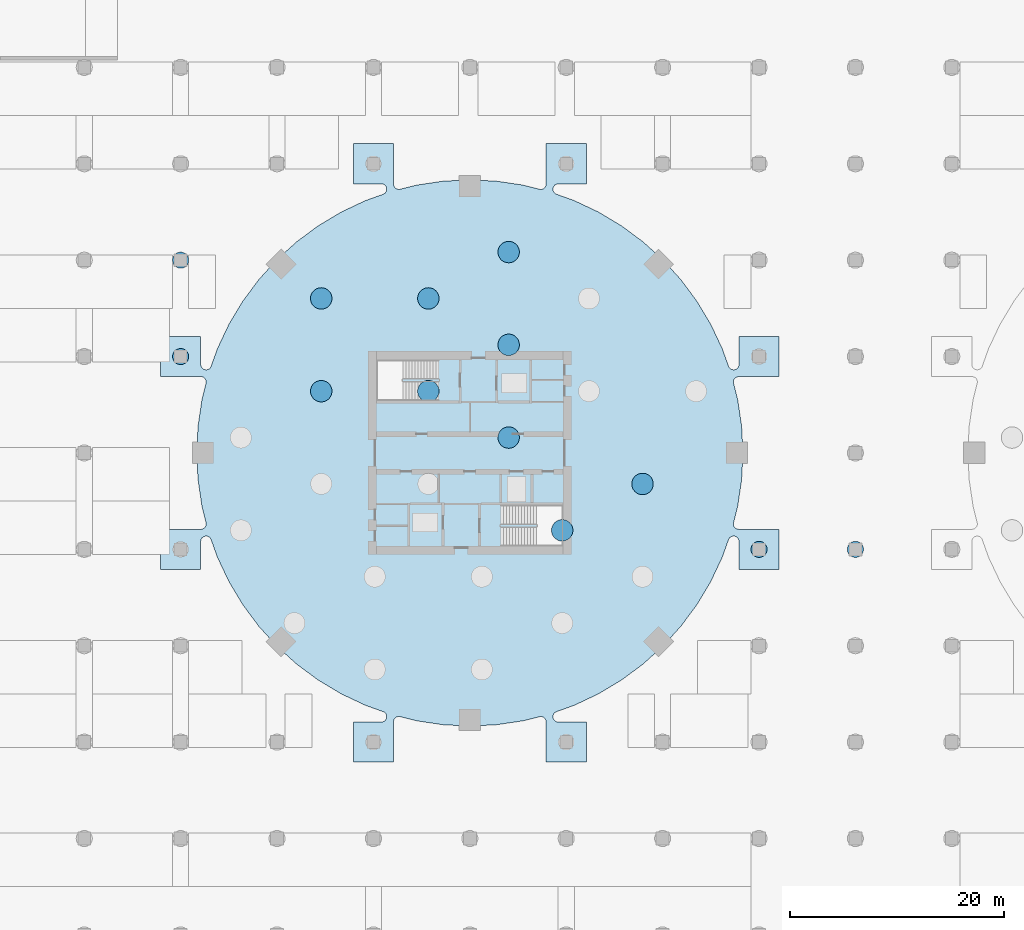
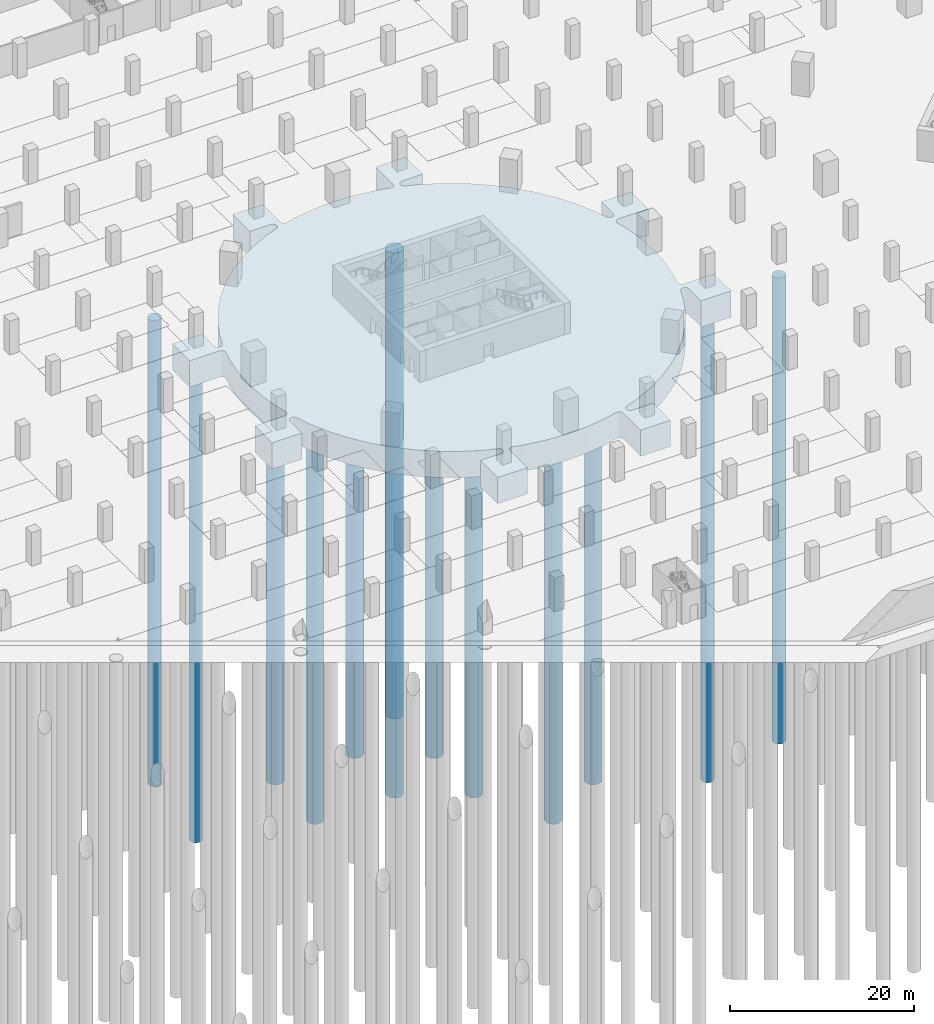
# One storey, part 2 of 39: 13 piles, 1 footing.
"""IFC4 building model written with IfcOpenShell, lengths in metres."""

from ifc_helpers import new_model, si_unit, direction, frame, origin, origin_2d, place, context, subcontext, project, spatial, polyline, circle, outline, extrude, material, layer, layer_set, material_profile, profile_set, type_object, element, save


model = new_model("IFC4")

# Units and contexts
model_context = context("Model", 3, precision=1e-05, world=origin(), true_north=direction((0.0, 1.0)))
body_context = subcontext(model_context, "Body", "Model", "MODEL_VIEW")
ifc_project = project(units=[si_unit("LENGTHUNIT", "METRE"), si_unit("AREAUNIT", "SQUARE_METRE"), si_unit("VOLUMEUNIT", "CUBIC_METRE"), si_unit("PLANEANGLEUNIT", "RADIAN"), si_unit("MASSUNIT", "GRAM", prefix="KILO")], contexts=[model_context])

# Site, building, storey
site_placement = place(None, origin())
site = spatial("IfcSite", under=ifc_project, at=site_placement, CompositionType="ELEMENT")
building_placement = place(site_placement, origin())
building = spatial("IfcBuilding", under=site, at=building_placement, Name="Ogive Gate Towers", CompositionType="ELEMENT")
storey_placement = place(building_placement, frame((0.0, 0.0, -9.0)))
storey = spatial("IfcBuildingStorey", under=building, at=storey_placement, Name="B2", CompositionType="ELEMENT", Elevation=-9.0)

# Piles
ifc_material = material(Name="Concrete C40/50", Category="concrete")
ifc_material_profile_1 = material_profile(ifc_material, circle(Radius=0.75, at=origin_2d()), Name="BP 1500")
ifc_profile_set_1 = profile_set([ifc_material_profile_1], Name="Concrete C40/50")
pile_type_1 = type_object("IfcPileType", Name="Bored pile 1500", PredefinedType="BORED", material=ifc_profile_set_1)
for number, where, z_axis, x_axis, name in (
    (1, (-63.0, 9.0, -3.800048828125), (0.0, 0.0, -1.0), (1.0, 0.0, 0.0), "BS/B2/SPL002"),
    (2, (-9.0, -9.0, -3.800048828125), (0.0, 0.0, -1.0), (1.0, 0.0, 0.0), "BS/B2/SPL007"),
    (3, (-63.0, 18.0, -1.800048828125), (0.0, 0.0, -1.0), (1.0, 0.0, 0.0), "BS/B2/SPL159"),
    (4, (0.0, -9.0, -1.800048828125), (0.0, 0.0, -1.0), (1.0, 0.0, 0.0), "BS/B2/SPL227"),
):
    element("IfcPile", number, at=place(storey_placement, frame(where, z_axis=z_axis, x_axis=x_axis)), inside=storey, type_object=pile_type_1, Name=name, PredefinedType="BORED", context=body_context, shape_type="SweptSolid", body=[
        extrude(circle(Radius=0.75, at=origin_2d()), origin(), (0.0, 0.0, 1.0), 62.0),
    ])
ifc_material_profile_2 = material_profile(ifc_material, circle(Radius=1.0, at=origin_2d()), Name="BP 2000")
ifc_profile_set_2 = profile_set([ifc_material_profile_2], Name="Concrete C40/50")
pile_type_2 = type_object("IfcPileType", Name="Bored pile 2000", PredefinedType="BORED", material=ifc_profile_set_2)
for number, where, z_axis, x_axis, name in (
    (5, (-27.375, -7.22412109375, -3.800048828125), (0.0, 0.0, -1.0), (1.0, 0.0, 0.0), "BS/B2/SPL017"),
    (6, (-19.875, -2.89404296875, -3.800048828125), (0.0, 0.0, -1.0), (1.0, 0.0, 0.0), "BS/B2/SPL020"),
    (7, (-32.375, 1.43603515625, -3.800048828125), (0.0, 0.0, -1.0), (1.0, 0.0, 0.0), "BS/B2/SPL022"),
    (8, (-49.875, 5.76611328125, -3.800048828125), (0.0, 0.0, -1.0), (1.0, 0.0, 0.0), "BS/B2/SPL023"),
    (9, (-39.875, 5.76611328125, -3.800048828125), (0.0, 0.0, -1.0), (1.0, 0.0, 0.0), "BS/B2/SPL024"),
    (10, (-32.375, 10.095947265625, -3.800048828125), (0.0, 0.0, -1.0), (1.0, 0.0, 0.0), "BS/B2/SPL027"),
    (11, (-49.875, 14.426025390625, -3.800048828125), (0.0, 0.0, -1.0), (1.0, 0.0, 0.0), "BS/B2/SPL028"),
    (12, (-39.875, 14.426025390625, -3.800048828125), (0.0, 0.0, -1.0), (1.0, 0.0, 0.0), "BS/B2/SPL029"),
    (13, (-32.375, 18.756103515625, -3.800048828125), (0.0, 0.0, -1.0), (1.0, 0.0, 0.0), "BS/B2/SPL031"),
):
    element("IfcPile", number, at=place(storey_placement, frame(where, z_axis=z_axis, x_axis=x_axis)), inside=storey, type_object=pile_type_2, Name=name, PredefinedType="BORED", context=body_context, shape_type="SweptSolid", body=[
        extrude(circle(Radius=1.0, at=origin_2d()), origin(), (0.0, 0.0, 1.0), 62.0),
    ])

# Footing
ifc_layer = layer(ifc_material, 3.5)
ifc_layer_set = layer_set([ifc_layer], Name="Piled raft 3500")
footing_type = type_object("IfcFootingType", Name="Piled raft 3500", PredefinedType="PILE_CAP", material=ifc_layer_set)
footing_placement = place(storey_placement, frame((0.0, 0.0, -3.89990234375)))
element("IfcFooting", 14, at=footing_placement, inside=storey, type_object=footing_type, Name="BS/B2/SFT001", PredefinedType="PILE_CAP", context=body_context, shape_type="SweptSolid", body=[
    extrude(outline(polyline([(-64.87451171875, -10.87451171875), (-64.86279296875, -10.875), (-61.13720703125, -10.875), (-61.12548828125, -10.87451171875), (-61.125, -10.86279296875), (-61.125, -8.26318359375), (-61.12255859375, -8.213134765625), (-61.114990234375, -8.163818359375), (-61.102783203125, -8.115478515625), (-61.085693359375, -8.068603515625), (-61.06396484375, -8.023681640625), (-61.037841796875, -7.98095703125), (-61.007568359375, -7.941162109375), (-60.9736328125, -7.904541015625), (-60.93603515625, -7.87158203125), (-60.8955078125, -7.842529296875), (-60.85205078125, -7.817626953125), (-60.806640625, -7.79736328125), (-60.75927734375, -7.781494140625), (-60.71044921875, -7.7705078125), (-60.660888671875, -7.764404296875), (-60.611083984375, -7.763427734375), (-60.561279296875, -7.76708984375), (-60.511962890625, -7.776123046875), (-60.464111328125, -7.789794921875), (-60.41748046875, -7.80810546875), (-60.373291015625, -7.8310546875), (-60.331298828125, -7.8583984375), (-60.29248046875, -7.8896484375), (-60.2568359375, -7.9248046875), (-60.224853515625, -7.963134765625), (-60.197021484375, -8.004638671875), (-60.17333984375, -8.048583984375), (-60.154296875, -8.0947265625), (-59.56298828125, -9.746826171875), (-59.5537109375, -9.76953125), (-58.494140625, -12.009521484375), (-58.482666015625, -12.03125), (-57.208740234375, -14.156494140625), (-57.195068359375, -14.177001953125), (-55.718994140625, -16.167236328125), (-55.70361328125, -16.18603515625), (-54.03955078125, -18.022216796875), (-54.022216796875, -18.03955078125), (-52.18603515625, -19.70361328125), (-52.167236328125, -19.718994140625), (-50.177001953125, -21.195068359375), (-50.156494140625, -21.208740234375), (-48.03125, -22.482666015625), (-48.009521484375, -22.494140625), (-45.76953125, -23.5537109375), (-45.746826171875, -23.56298828125), (-44.0947265625, -24.154296875), (-44.048583984375, -24.17333984375), (-44.004638671875, -24.197021484375), (-43.963134765625, -24.224853515625), (-43.9248046875, -24.2568359375), (-43.8896484375, -24.29248046875), (-43.8583984375, -24.331298828125), (-43.8310546875, -24.373291015625), (-43.80810546875, -24.41748046875), (-43.789794921875, -24.464111328125), (-43.776123046875, -24.511962890625), (-43.76708984375, -24.561279296875), (-43.763427734375, -24.611083984375), (-43.764404296875, -24.660888671875), (-43.7705078125, -24.71044921875), (-43.781494140625, -24.75927734375), (-43.79736328125, -24.806640625), (-43.817626953125, -24.85205078125), (-43.842529296875, -24.8955078125), (-43.87158203125, -24.93603515625), (-43.904541015625, -24.9736328125), (-43.941162109375, -25.007568359375), (-43.98095703125, -25.037841796875), (-44.023681640625, -25.06396484375), (-44.068603515625, -25.085693359375), (-44.115478515625, -25.102783203125), (-44.163818359375, -25.114990234375), (-44.213134765625, -25.12255859375), (-44.26318359375, -25.125), (-46.86279296875, -25.125), (-46.87451171875, -25.12548828125), (-46.875, -25.13720703125), (-46.875, -28.86279296875), (-46.87451171875, -28.87451171875), (-46.86279296875, -28.875), (-43.13720703125, -28.875), (-43.12548828125, -28.87451171875), (-43.125, -28.86279296875), (-43.125, -25.13720703125), (-43.125, -25.136474609375), (-43.125, -25.08740234375), (-43.1201171875, -25.03857421875), (-43.110595703125, -24.990478515625), (-43.096435546875, -24.943603515625), (-43.07763671875, -24.898193359375), (-43.054443359375, -24.85498046875), (-43.02734375, -24.814208984375), (-42.99609375, -24.776123046875), (-42.96142578125, -24.741455078125), (-42.923583984375, -24.71044921875), (-42.8828125, -24.68310546875), (-42.83935546875, -24.659912109375), (-42.794189453125, -24.64111328125), (-42.7470703125, -24.626953125), (-42.698974609375, -24.617431640625), (-42.650146484375, -24.612548828125), (-42.60107421875, -24.612548828125), (-42.55224609375, -24.617431640625), (-42.504150390625, -24.626953125), (-40.98681640625, -25.007080078125), (-40.962646484375, -25.01171875), (-38.511474609375, -25.37548828125), (-38.487060546875, -25.3779296875), (-36.01220703125, -25.49951171875), (-35.98779296875, -25.49951171875), (-33.512939453125, -25.3779296875), (-33.488525390625, -25.37548828125), (-31.037353515625, -25.01171875), (-31.01318359375, -25.007080078125), (-29.495849609375, -24.626953125), (-29.44775390625, -24.617431640625), (-29.39892578125, -24.612548828125), (-29.349853515625, -24.612548828125), (-29.301025390625, -24.617431640625), (-29.2529296875, -24.626953125), (-29.205810546875, -24.64111328125), (-29.16064453125, -24.659912109375), (-29.1171875, -24.68310546875), (-29.076416015625, -24.71044921875), (-29.03857421875, -24.741455078125), (-29.00390625, -24.776123046875), (-28.97265625, -24.814208984375), (-28.945556640625, -24.85498046875), (-28.92236328125, -24.898193359375), (-28.903564453125, -24.943603515625), (-28.889404296875, -24.990478515625), (-28.8798828125, -25.03857421875), (-28.875, -25.08740234375), (-28.875, -25.136474609375), (-28.875, -25.13720703125), (-28.875, -28.86279296875), (-28.87451171875, -28.87451171875), (-28.86279296875, -28.875), (-25.13720703125, -28.875), (-25.12548828125, -28.87451171875), (-25.125, -28.86279296875), (-25.125, -25.13720703125), (-25.12548828125, -25.12548828125), (-25.13720703125, -25.125), (-27.73681640625, -25.125), (-27.786865234375, -25.12255859375), (-27.836181640625, -25.114990234375), (-27.884521484375, -25.102783203125), (-27.931396484375, -25.085693359375), (-27.976318359375, -25.06396484375), (-28.01904296875, -25.037841796875), (-28.058837890625, -25.007568359375), (-28.095458984375, -24.9736328125), (-28.12841796875, -24.93603515625), (-28.157470703125, -24.8955078125), (-28.182373046875, -24.85205078125), (-28.20263671875, -24.806640625), (-28.218505859375, -24.75927734375), (-28.2294921875, -24.71044921875), (-28.235595703125, -24.660888671875), (-28.236572265625, -24.611083984375), (-28.23291015625, -24.561279296875), (-28.223876953125, -24.511962890625), (-28.210205078125, -24.464111328125), (-28.19189453125, -24.41748046875), (-28.1689453125, -24.373291015625), (-28.1416015625, -24.331298828125), (-28.1103515625, -24.29248046875), (-28.0751953125, -24.2568359375), (-28.036865234375, -24.224853515625), (-27.995361328125, -24.197021484375), (-27.951416015625, -24.17333984375), (-27.9052734375, -24.154296875), (-26.253173828125, -23.56298828125), (-26.23046875, -23.5537109375), (-23.990478515625, -22.494140625), (-23.96875, -22.482666015625), (-21.843505859375, -21.208740234375), (-21.822998046875, -21.195068359375), (-19.832763671875, -19.718994140625), (-19.81396484375, -19.70361328125), (-17.977783203125, -18.03955078125), (-17.96044921875, -18.022216796875), (-16.29638671875, -16.18603515625), (-16.281005859375, -16.167236328125), (-14.804931640625, -14.177001953125), (-14.791259765625, -14.156494140625), (-13.517333984375, -12.03125), (-13.505859375, -12.009521484375), (-12.4462890625, -9.76953125), (-12.43701171875, -9.746826171875), (-11.845703125, -8.0947265625), (-11.82666015625, -8.048583984375), (-11.802978515625, -8.004638671875), (-11.775146484375, -7.963134765625), (-11.7431640625, -7.9248046875), (-11.70751953125, -7.8896484375), (-11.668701171875, -7.8583984375), (-11.626708984375, -7.8310546875), (-11.58251953125, -7.80810546875), (-11.535888671875, -7.789794921875), (-11.488037109375, -7.776123046875), (-11.438720703125, -7.76708984375), (-11.388916015625, -7.763427734375), (-11.339111328125, -7.764404296875), (-11.28955078125, -7.7705078125), (-11.24072265625, -7.781494140625), (-11.193359375, -7.79736328125), (-11.14794921875, -7.817626953125), (-11.1044921875, -7.842529296875), (-11.06396484375, -7.87158203125), (-11.0263671875, -7.904541015625), (-10.992431640625, -7.941162109375), (-10.962158203125, -7.98095703125), (-10.93603515625, -8.023681640625), (-10.914306640625, -8.068603515625), (-10.897216796875, -8.115478515625), (-10.885009765625, -8.163818359375), (-10.87744140625, -8.213134765625), (-10.875, -8.26318359375), (-10.875, -10.86279296875), (-10.87451171875, -10.87451171875), (-10.86279296875, -10.875), (-7.13720703125, -10.875), (-7.12548828125, -10.87451171875), (-7.125, -10.86279296875), (-7.125, -7.13720703125), (-7.12548828125, -7.12548828125), (-7.13720703125, -7.125), (-10.86279296875, -7.125), (-10.863525390625, -7.125), (-10.91259765625, -7.125), (-10.96142578125, -7.1201171875), (-11.009521484375, -7.110595703125), (-11.056396484375, -7.096435546875), (-11.101806640625, -7.07763671875), (-11.14501953125, -7.054443359375), (-11.185791015625, -7.02734375), (-11.223876953125, -6.99609375), (-11.258544921875, -6.96142578125), (-11.28955078125, -6.923583984375), (-11.31689453125, -6.8828125), (-11.340087890625, -6.83935546875), (-11.35888671875, -6.794189453125), (-11.373046875, -6.7470703125), (-11.382568359375, -6.698974609375), (-11.387451171875, -6.650146484375), (-11.387451171875, -6.60107421875), (-11.382568359375, -6.55224609375), (-11.373046875, -6.504150390625), (-10.992919921875, -4.98681640625), (-10.98828125, -4.962646484375), (-10.62451171875, -2.511474609375), (-10.6220703125, -2.487060546875), (-10.50048828125, -0.01220703125), (-10.50048828125, 0.01220703125), (-10.6220703125, 2.487060546875), (-10.62451171875, 2.511474609375), (-10.98828125, 4.962646484375), (-10.992919921875, 4.98681640625), (-11.373046875, 6.504150390625), (-11.382568359375, 6.55224609375), (-11.387451171875, 6.60107421875), (-11.387451171875, 6.650146484375), (-11.382568359375, 6.698974609375), (-11.373046875, 6.7470703125), (-11.35888671875, 6.794189453125), (-11.340087890625, 6.83935546875), (-11.31689453125, 6.8828125), (-11.28955078125, 6.923583984375), (-11.258544921875, 6.96142578125), (-11.223876953125, 6.99609375), (-11.185791015625, 7.02734375), (-11.14501953125, 7.054443359375), (-11.101806640625, 7.07763671875), (-11.056396484375, 7.096435546875), (-11.009521484375, 7.110595703125), (-10.96142578125, 7.1201171875), (-10.91259765625, 7.125), (-10.863525390625, 7.125), (-10.86279296875, 7.125), (-7.13720703125, 7.125), (-7.12548828125, 7.12548828125), (-7.125, 7.13720703125), (-7.125, 10.86279296875), (-7.12548828125, 10.87451171875), (-7.13720703125, 10.875), (-10.86279296875, 10.875), (-10.87451171875, 10.87451171875), (-10.875, 10.86279296875), (-10.875, 8.26318359375), (-10.87744140625, 8.21484375), (-10.88427734375, 8.167236328125), (-10.895751953125, 8.120361328125), (-10.911865234375, 8.074951171875), (-10.93212890625, 8.03125), (-10.95654296875, 7.989501953125), (-10.98486328125, 7.950439453125), (-11.0166015625, 7.914306640625), (-11.052001953125, 7.881591796875), (-11.09033203125, 7.85205078125), (-11.131103515625, 7.82666015625), (-11.17431640625, 7.80517578125), (-11.219482421875, 7.787841796875), (-11.265869140625, 7.775146484375), (-11.3134765625, 7.766845703125), (-11.361572265625, 7.76318359375), (-11.40966796875, 7.764404296875), (-11.45751953125, 7.77001953125), (-11.504638671875, 7.7802734375), (-11.550537109375, 7.794921875), (-11.594970703125, 7.81396484375), (-11.63720703125, 7.83740234375), (-11.677001953125, 7.864501953125), (-11.7138671875, 7.8955078125), (-11.747802734375, 7.929931640625), (-11.778076171875, 7.96728515625), (-11.8046875, 8.007568359375), (-11.827392578125, 8.050048828125), (-11.845703125, 8.0947265625), (-12.43701171875, 9.746826171875), (-12.4462890625, 9.76953125), (-13.505859375, 12.009521484375), (-13.517333984375, 12.03125), (-14.791259765625, 14.156494140625), (-14.804931640625, 14.177001953125), (-16.281005859375, 16.167236328125), (-16.29638671875, 16.18603515625), (-17.96044921875, 18.022216796875), (-17.977783203125, 18.03955078125), (-19.81396484375, 19.70361328125), (-19.832763671875, 19.718994140625), (-21.822998046875, 21.195068359375), (-21.843505859375, 21.208740234375), (-23.96875, 22.482666015625), (-23.990478515625, 22.494140625), (-26.23046875, 23.5537109375), (-26.253173828125, 23.56298828125), (-27.9052734375, 24.154296875), (-27.951416015625, 24.17333984375), (-27.995361328125, 24.197021484375), (-28.036865234375, 24.224853515625), (-28.0751953125, 24.2568359375), (-28.1103515625, 24.29248046875), (-28.1416015625, 24.331298828125), (-28.1689453125, 24.373291015625), (-28.19189453125, 24.41748046875), (-28.210205078125, 24.464111328125), (-28.223876953125, 24.511962890625), (-28.23291015625, 24.561279296875), (-28.236572265625, 24.611083984375), (-28.235595703125, 24.660888671875), (-28.2294921875, 24.71044921875), (-28.218505859375, 24.75927734375), (-28.20263671875, 24.806640625), (-28.182373046875, 24.85205078125), (-28.157470703125, 24.8955078125), (-28.12841796875, 24.93603515625), (-28.095458984375, 24.9736328125), (-28.058837890625, 25.007568359375), (-28.01904296875, 25.037841796875), (-27.976318359375, 25.06396484375), (-27.931396484375, 25.085693359375), (-27.884521484375, 25.102783203125), (-27.836181640625, 25.114990234375), (-27.786865234375, 25.12255859375), (-27.73681640625, 25.125), (-25.13720703125, 25.125), (-25.12548828125, 25.12548828125), (-25.125, 25.13720703125), (-25.125, 28.86279296875), (-25.12548828125, 28.87451171875), (-25.13720703125, 28.875), (-28.86279296875, 28.875), (-28.87451171875, 28.87451171875), (-28.875, 28.86279296875), (-28.875, 25.13720703125), (-28.875, 25.136474609375), (-28.875, 25.08740234375), (-28.8798828125, 25.03857421875), (-28.889404296875, 24.990478515625), (-28.903564453125, 24.943603515625), (-28.92236328125, 24.898193359375), (-28.945556640625, 24.85498046875), (-28.97265625, 24.814208984375), (-29.00390625, 24.776123046875), (-29.03857421875, 24.741455078125), (-29.076416015625, 24.71044921875), (-29.1171875, 24.68310546875), (-29.16064453125, 24.659912109375), (-29.205810546875, 24.64111328125), (-29.2529296875, 24.626953125), (-29.301025390625, 24.617431640625), (-29.349853515625, 24.612548828125), (-29.39892578125, 24.612548828125), (-29.44775390625, 24.617431640625), (-29.495849609375, 24.626953125), (-31.01318359375, 25.007080078125), (-31.037353515625, 25.01171875), (-33.488525390625, 25.37548828125), (-33.512939453125, 25.3779296875), (-35.98779296875, 25.49951171875), (-36.01220703125, 25.49951171875), (-38.487060546875, 25.3779296875), (-38.511474609375, 25.37548828125), (-40.962646484375, 25.01171875), (-40.98681640625, 25.007080078125), (-42.504150390625, 24.626953125), (-42.55224609375, 24.617431640625), (-42.60107421875, 24.612548828125), (-42.650146484375, 24.612548828125), (-42.698974609375, 24.617431640625), (-42.7470703125, 24.626953125), (-42.794189453125, 24.64111328125), (-42.83935546875, 24.659912109375), (-42.8828125, 24.68310546875), (-42.923583984375, 24.71044921875), (-42.96142578125, 24.741455078125), (-42.99609375, 24.776123046875), (-43.02734375, 24.814208984375), (-43.054443359375, 24.85498046875), (-43.07763671875, 24.898193359375), (-43.096435546875, 24.943603515625), (-43.110595703125, 24.990478515625), (-43.1201171875, 25.03857421875), (-43.125, 25.08740234375), (-43.125, 25.136474609375), (-43.125, 25.13720703125), (-43.125, 28.86279296875), (-43.12548828125, 28.87451171875), (-43.13720703125, 28.875), (-46.86279296875, 28.875), (-46.87451171875, 28.87451171875), (-46.875, 28.86279296875), (-46.875, 25.13720703125), (-46.87451171875, 25.12548828125), (-46.86279296875, 25.125), (-44.26318359375, 25.125), (-44.213134765625, 25.12255859375), (-44.163818359375, 25.114990234375), (-44.115478515625, 25.102783203125), (-44.068603515625, 25.085693359375), (-44.023681640625, 25.06396484375), (-43.98095703125, 25.037841796875), (-43.941162109375, 25.007568359375), (-43.904541015625, 24.9736328125), (-43.87158203125, 24.93603515625), (-43.842529296875, 24.8955078125), (-43.817626953125, 24.85205078125), (-43.79736328125, 24.806640625), (-43.781494140625, 24.75927734375), (-43.7705078125, 24.71044921875), (-43.764404296875, 24.660888671875), (-43.763427734375, 24.611083984375), (-43.76708984375, 24.561279296875), (-43.776123046875, 24.511962890625), (-43.789794921875, 24.464111328125), (-43.80810546875, 24.41748046875), (-43.8310546875, 24.373291015625), (-43.8583984375, 24.331298828125), (-43.8896484375, 24.29248046875), (-43.9248046875, 24.2568359375), (-43.963134765625, 24.224853515625), (-44.004638671875, 24.197021484375), (-44.048583984375, 24.17333984375), (-44.0947265625, 24.154296875), (-45.746826171875, 23.56298828125), (-45.76953125, 23.5537109375), (-48.009521484375, 22.494140625), (-48.03125, 22.482666015625), (-50.156494140625, 21.208740234375), (-50.177001953125, 21.195068359375), (-52.167236328125, 19.718994140625), (-52.18603515625, 19.70361328125), (-54.022216796875, 18.03955078125), (-54.03955078125, 18.022216796875), (-55.70361328125, 16.18603515625), (-55.718994140625, 16.167236328125), (-57.195068359375, 14.177001953125), (-57.208740234375, 14.156494140625), (-58.482666015625, 12.03125), (-58.494140625, 12.009521484375), (-59.5537109375, 9.76953125), (-59.56298828125, 9.746826171875), (-60.154296875, 8.0947265625), (-60.172607421875, 8.050048828125), (-60.1953125, 8.007568359375), (-60.221923828125, 7.96728515625), (-60.252197265625, 7.929931640625), (-60.2861328125, 7.8955078125), (-60.322998046875, 7.864501953125), (-60.36279296875, 7.83740234375), (-60.405029296875, 7.81396484375), (-60.449462890625, 7.794921875), (-60.495361328125, 7.7802734375), (-60.54248046875, 7.77001953125), (-60.59033203125, 7.764404296875), (-60.638427734375, 7.76318359375), (-60.6865234375, 7.766845703125), (-60.734130859375, 7.775146484375), (-60.780517578125, 7.787841796875), (-60.82568359375, 7.80517578125), (-60.868896484375, 7.82666015625), (-60.90966796875, 7.85205078125), (-60.947998046875, 7.881591796875), (-60.9833984375, 7.914306640625), (-61.01513671875, 7.950439453125), (-61.04345703125, 7.989501953125), (-61.06787109375, 8.03125), (-61.088134765625, 8.074951171875), (-61.104248046875, 8.120361328125), (-61.11572265625, 8.167236328125), (-61.12255859375, 8.21484375), (-61.125, 8.26318359375), (-61.125, 10.86279296875), (-61.12548828125, 10.87451171875), (-61.13720703125, 10.875), (-64.86279296875, 10.875), (-64.87451171875, 10.87451171875), (-64.875, 10.86279296875), (-64.875, 7.13720703125), (-64.87451171875, 7.12548828125), (-64.86279296875, 7.125), (-61.13720703125, 7.125), (-61.136474609375, 7.125), (-61.08740234375, 7.125), (-61.03857421875, 7.1201171875), (-60.990478515625, 7.110595703125), (-60.943603515625, 7.096435546875), (-60.898193359375, 7.07763671875), (-60.85498046875, 7.054443359375), (-60.814208984375, 7.02734375), (-60.776123046875, 6.99609375), (-60.741455078125, 6.96142578125), (-60.71044921875, 6.923583984375), (-60.68310546875, 6.8828125), (-60.659912109375, 6.83935546875), (-60.64111328125, 6.794189453125), (-60.626953125, 6.7470703125), (-60.617431640625, 6.698974609375), (-60.612548828125, 6.650146484375), (-60.612548828125, 6.60107421875), (-60.617431640625, 6.55224609375), (-60.626953125, 6.504150390625), (-61.007080078125, 4.98681640625), (-61.01171875, 4.962646484375), (-61.37548828125, 2.511474609375), (-61.3779296875, 2.487060546875), (-61.49951171875, 0.01220703125), (-61.49951171875, -0.01220703125), (-61.3779296875, -2.487060546875), (-61.37548828125, -2.511474609375), (-61.01171875, -4.962646484375), (-61.007080078125, -4.98681640625), (-60.626953125, -6.504150390625), (-60.617431640625, -6.55224609375), (-60.612548828125, -6.60107421875), (-60.612548828125, -6.650146484375), (-60.617431640625, -6.698974609375), (-60.626953125, -6.7470703125), (-60.64111328125, -6.794189453125), (-60.659912109375, -6.83935546875), (-60.68310546875, -6.8828125), (-60.71044921875, -6.923583984375), (-60.741455078125, -6.96142578125), (-60.776123046875, -6.99609375), (-60.814208984375, -7.02734375), (-60.85498046875, -7.054443359375), (-60.898193359375, -7.07763671875), (-60.943603515625, -7.096435546875), (-60.990478515625, -7.110595703125), (-61.03857421875, -7.1201171875), (-61.08740234375, -7.125), (-61.136474609375, -7.125), (-61.13720703125, -7.125), (-64.86279296875, -7.125), (-64.87451171875, -7.12548828125), (-64.875, -7.13720703125), (-64.875, -10.86279296875), (-64.87451171875, -10.87451171875)])), origin(), (0.0, 0.0, 1.0), 3.5),
])

save(model, "model.ifc")
